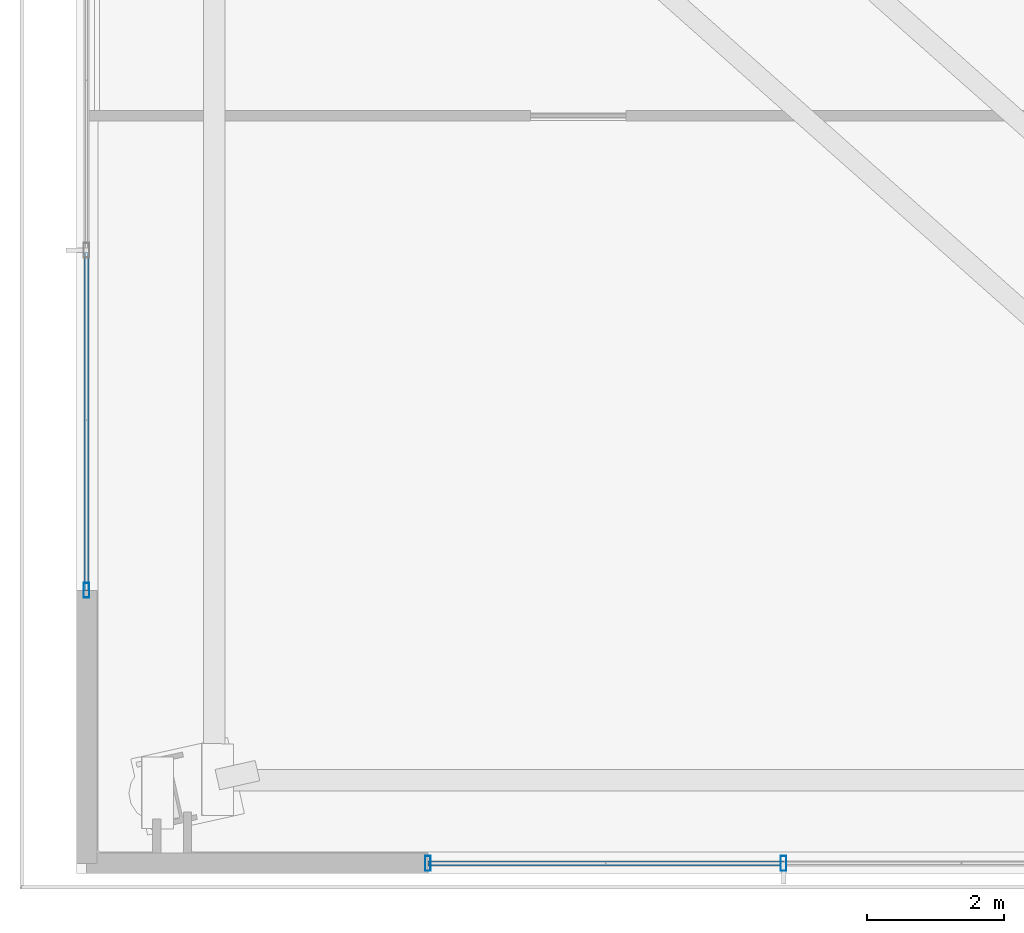
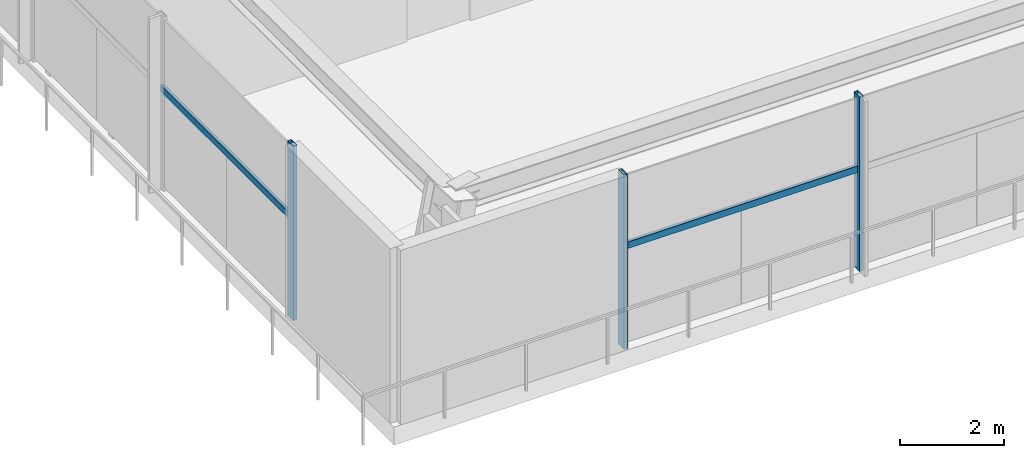
# One storey, part 2 of 33: 5 members, 2 elements without a shape of their own.
"""IFC4 building model written with IfcOpenShell, lengths in metres."""

from ifc_helpers import new_model, si_unit, direction, frame, origin, origin_2d, place, context, subcontext, project, spatial, hollow_rectangle, extrude, source, transform, mapped, material, material_profile, profile_set, type_object, type_shapes, element, aggregate, save


model = new_model("IFC4")

# Units and contexts
model_context = context("Model", 3, precision=1e-05, world=origin(), true_north=direction((0.0, 1.0)))
body_context = subcontext(model_context, "Body", "Model", "MODEL_VIEW")
ifc_project = project(units=[si_unit("LENGTHUNIT", "METRE"), si_unit("AREAUNIT", "SQUARE_METRE"), si_unit("VOLUMEUNIT", "CUBIC_METRE"), si_unit("PLANEANGLEUNIT", "RADIAN"), si_unit("MASSUNIT", "GRAM", prefix="KILO")], contexts=[model_context])

# Site, building, storey
site_placement = place(None, origin())
site = spatial("IfcSite", under=ifc_project, at=site_placement, CompositionType="ELEMENT")
building_placement = place(site_placement, origin())
building = spatial("IfcBuilding", under=site, at=building_placement, Name="Astriad Promenade Condominiums", CompositionType="ELEMENT")
storey_placement = place(building_placement, frame((0.0, 0.0, 9.5)))
storey = spatial("IfcBuildingStorey", under=building, at=storey_placement, Name="L02", CompositionType="ELEMENT", Elevation=9.5)

# Curtain wall, member
ifc_material_1 = material(Name="Anodised aluminium Black Dark Glass Unitised", Category="aluminium")
curtain_wall_type = type_object("IfcCurtainWallType", Name="CW-POD-DARK", PredefinedType="USERDEFINED", material=ifc_material_1)
curtain_wall_1_placement = place(storey_placement, origin())
curtain_wall_1 = element("IfcCurtainWall", 1, at=curtain_wall_1_placement, inside=storey, type_object=curtain_wall_type, Name="CW-L02-W", ObjectType="UNITISED_CURTAIN_WALL", PredefinedType="USERDEFINED")
ifc_material_2 = material(Name="Anodised aluminium 6063-T6 Black", Category="aluminium")
ifc_material_profile_1 = material_profile(ifc_material_2, hollow_rectangle(XDim=0.0849609375, YDim=0.219970703125, WallThickness=0.0048828125, at=origin_2d()), Name="ALU-MUL-85X220")
ifc_profile_set_1 = profile_set([ifc_material_profile_1], Name="Anodised aluminium 6063-T6 Black")
member_type_1 = type_object("IfcMemberType", Name="MUL-ALU-MUL-85X220", PredefinedType="MULLION", material=ifc_profile_set_1)
shared_shape_1 = source(origin(), body_context, "Body", "SweptSolid", [
    extrude(hollow_rectangle(XDim=0.0849609375, YDim=0.219970703125, WallThickness=0.0048828125, at=origin_2d()), origin(), (0.0, 0.0, 1.0), 4.080078125),
])
type_shapes(member_type_1, [shared_shape_1])
member_1_placement = place(storey_placement, frame((2.75, 5.35009765625, 0.0), z_axis=(0.0, 0.0, 1.0), x_axis=(1.0, 0.0, 0.0)))
member_1 = element("IfcMember", 2, at=member_1_placement, type_object=member_type_1, Name="CW-L02-W-MUL-00", PredefinedType="MULLION", context=body_context, shape_type="MappedRepresentation", body=[
    mapped(shared_shape_1, transform((0.0, 0.0, 0.0), scale=1.0)),
])

# Curtain wall, members
curtain_wall_2_placement = place(storey_placement, origin())
curtain_wall_2 = element("IfcCurtainWall", 3, at=curtain_wall_2_placement, inside=storey, type_object=curtain_wall_type, Name="CW-L02-S", ObjectType="UNITISED_CURTAIN_WALL", PredefinedType="USERDEFINED")
member_2_placement = place(storey_placement, frame((12.958251953125, 1.35009765625, 0.0), z_axis=(0.0, 0.0, 1.0), x_axis=(1.0, 0.0, 0.0)))
member_2 = element("IfcMember", 4, at=member_2_placement, type_object=member_type_1, Name="CW-L02-S-MUL-11", PredefinedType="MULLION", context=body_context, shape_type="MappedRepresentation", body=[
    mapped(shared_shape_1, transform((0.0, 0.0, 0.0), scale=1.0)),
])
member_3_placement = place(storey_placement, frame((7.75, 1.35009765625, 0.0), z_axis=(0.0, 0.0, 1.0), x_axis=(1.0, 0.0, 0.0)))
member_3 = element("IfcMember", 5, at=member_3_placement, type_object=member_type_1, Name="CW-L02-S-MUL-12", PredefinedType="MULLION", context=body_context, shape_type="MappedRepresentation", body=[
    mapped(shared_shape_1, transform((0.0, 0.0, 0.0), scale=1.0)),
])

# Member
ifc_material_profile_2 = material_profile(ifc_material_2, hollow_rectangle(XDim=0.074951171875, YDim=0.14990234375, WallThickness=0.004150390625, at=origin_2d()), Name="ALU-TRN-75X150")
ifc_profile_set_2 = profile_set([ifc_material_profile_2], Name="Anodised aluminium 6063-T6 Black")
member_type_2 = type_object("IfcMemberType", Name="TRN-ALU-TRN-75X150", PredefinedType="USERDEFINED", material=ifc_profile_set_2)
shared_shape_2 = source(origin(), body_context, "Body", "SweptSolid", [
    extrude(hollow_rectangle(XDim=0.074951171875, YDim=0.14990234375, WallThickness=0.004150390625, at=origin_2d()), origin(), (0.0, 0.0, 1.0), 4.97998046875),
])
member_4_placement = place(storey_placement, frame((2.75, 5.35009765625, 2.35009765625), z_axis=(0.0, 1.0, 0.0), x_axis=(-1.0, 0.0, 0.0)))
member_4 = element("IfcMember", 6, at=member_4_placement, type_object=member_type_2, Name="CW-L02-W-TRN-00-0", ObjectType="TRANSOM", PredefinedType="USERDEFINED", context=body_context, shape_type="MappedRepresentation", body=[
    mapped(shared_shape_2, transform((0.0, 0.0, 0.0), scale=1.0)),
])

aggregate(curtain_wall_1, [member_1, member_4])

shared_shape_3 = source(origin(), body_context, "Body", "SweptSolid", [
    extrude(hollow_rectangle(XDim=0.074951171875, YDim=0.14990234375, WallThickness=0.004150390625, at=origin_2d()), origin(), (0.0, 0.0, 1.0), 5.208251953125),
])
type_shapes(member_type_2, [shared_shape_2, shared_shape_3])
member_5_placement = place(storey_placement, frame((12.958251953125, 1.35009765625, 2.35009765625), z_axis=(-1.0, 0.0, 0.0), x_axis=(0.0, -1.0, 0.0)))
member_5 = element("IfcMember", 7, at=member_5_placement, type_object=member_type_2, Name="CW-L02-S-TRN-11-0", ObjectType="TRANSOM", PredefinedType="USERDEFINED", context=body_context, shape_type="MappedRepresentation", body=[
    mapped(shared_shape_3, transform((0.0, 0.0, 0.0), scale=1.0)),
])

aggregate(curtain_wall_2, [member_2, member_3, member_5])

save(model, "model.ifc")
